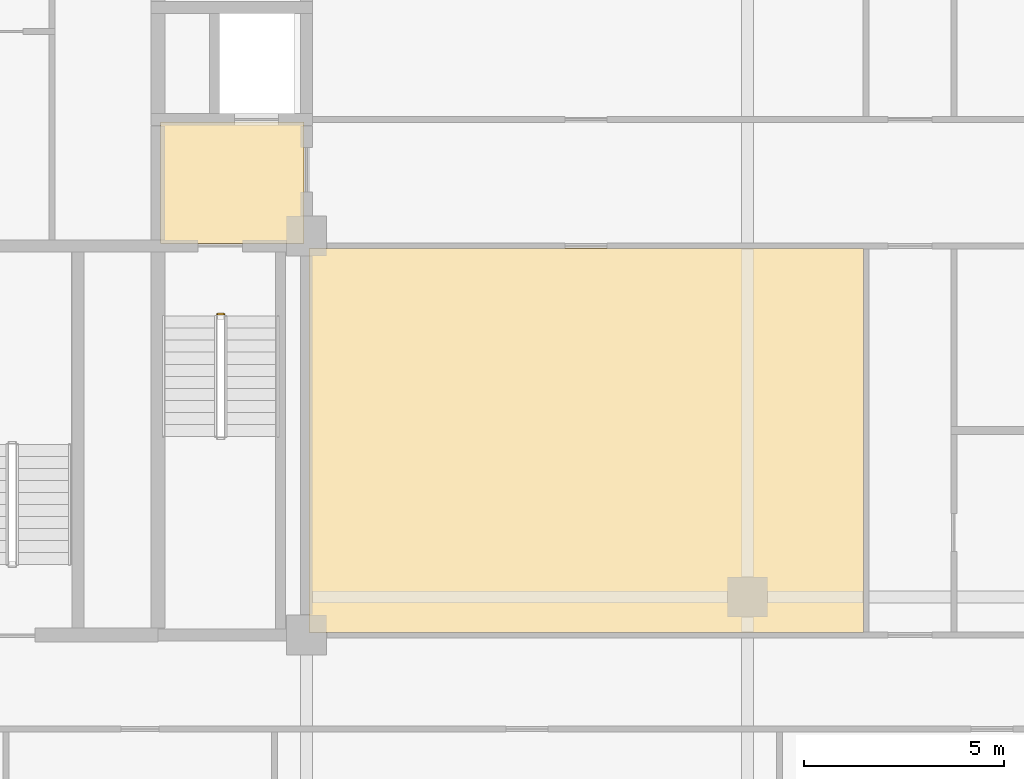
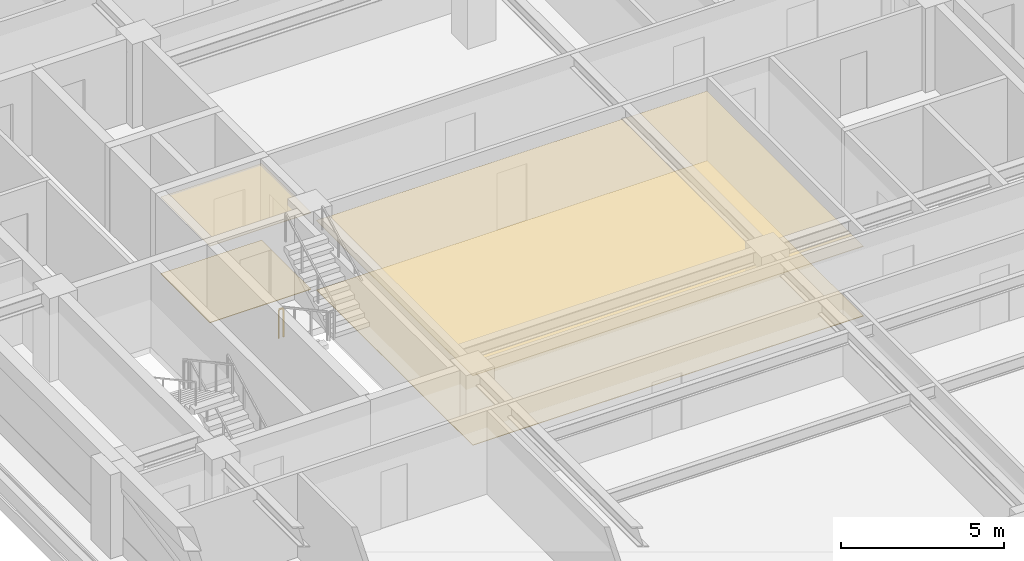
# One storey, part 10 of 13: 4 coverings, 1 railing.
"""IFC4 building model written with IfcOpenShell, lengths in metres."""

from ifc_helpers import new_model, si_unit, direction, frame, origin, origin_2d, place, context, subcontext, project, spatial, polyline, rectangle, outline, extrude, material, layer, layer_set, type_object, element, save


model = new_model("IFC4")

# Units and contexts
model_context = context("Model", 3, precision=1e-05, world=origin(), true_north=direction((0.0, 1.0)))
body_context = subcontext(model_context, "Body", "Model", "MODEL_VIEW")
ifc_project = project(units=[si_unit("LENGTHUNIT", "METRE"), si_unit("AREAUNIT", "SQUARE_METRE"), si_unit("VOLUMEUNIT", "CUBIC_METRE"), si_unit("PLANEANGLEUNIT", "RADIAN"), si_unit("MASSUNIT", "GRAM", prefix="KILO")], contexts=[model_context])

# Site, building, storey
site_placement = place(None, origin())
site = spatial("IfcSite", under=ifc_project, at=site_placement, CompositionType="ELEMENT")
building_placement = place(site_placement, origin())
building = spatial("IfcBuilding", under=site, at=building_placement, Name="Zulmaris Gate Convention Tower", CompositionType="ELEMENT")
storey_placement = place(building_placement, frame((0.0, 0.0, 112.780029296875)))
storey = spatial("IfcBuildingStorey", under=building, at=storey_placement, Name="L28", CompositionType="ELEMENT", Elevation=112.780029296875)

# Coverings
ifc_material_1 = material(Name="Mineral Fibre Acoustic Ceiling Tile")
ifc_layer_1 = layer(ifc_material_1, 0.02001953125, Name="Mineral Fibre Acoustic Ceiling Tile")
ifc_layer_set_1 = layer_set([ifc_layer_1], Name="Mineral Fibre Acoustic Ceiling Tile")
covering_type_1 = type_object("IfcCoveringType", Name="CLG-ACOUSTIC-600", PredefinedType="CEILING", material=ifc_layer_set_1)
covering_1_placement = place(storey_placement, frame((0.0, 0.0, 2.864990234375)))
element("IfcCovering", 1, at=covering_1_placement, inside=storey, type_object=covering_type_1, Name="CLG-L28-R03", PredefinedType="CEILING", context=body_context, shape_type="SweptSolid", body=[
    extrude(outline(polyline([(-14.639892578125, -0.18994140625), (-11.06005859375, -0.18994140625), (-11.06005859375, 2.840087890625), (-14.639892578125, 2.840087890625), (-14.639892578125, -0.18994140625)])), origin(), (0.0, 0.0, 1.0), 0.019775390625),
])
covering_2_placement = place(storey_placement, frame((0.0, 0.0, 2.602783203125)))
element("IfcCovering", 2, at=covering_2_placement, inside=storey, type_object=covering_type_1, Name="CLG-L28-R43", PredefinedType="CEILING", context=body_context, shape_type="SweptSolid", body=[
    extrude(outline(polyline([(-10.93994140625, -9.889892578125), (2.889892578125, -9.889892578125), (2.889892578125, -0.31005859375), (-10.93994140625, -0.31005859375), (-10.93994140625, -9.889892578125)])), origin(), (0.0, 0.0, 1.0), 0.02001953125),
])
ifc_material_2 = material(Name="Woven Acoustic Wool Carpet Tile")
ifc_layer_2 = layer(ifc_material_2, 0.02001953125, Name="Woven Acoustic Wool Carpet Tile")
ifc_layer_set_2 = layer_set([ifc_layer_2], Name="Woven Acoustic Wool Carpet Tile")
covering_type_2 = type_object("IfcCoveringType", Name="FLR-CARPET-12", PredefinedType="FLOORING", material=ifc_layer_set_2)
covering_3_placement = place(storey_placement, origin())
element("IfcCovering", 3, at=covering_3_placement, inside=storey, type_object=covering_type_2, Name="FLR-L28-R03", PredefinedType="FLOORING", context=body_context, shape_type="SweptSolid", body=[
    extrude(outline(polyline([(-14.639892578125, -0.18994140625), (-11.06005859375, -0.18994140625), (-11.06005859375, 2.840087890625), (-14.639892578125, 2.840087890625), (-14.639892578125, -0.18994140625)])), origin(), (0.0, 0.0, 1.0), 0.02001953125),
])
covering_4_placement = place(storey_placement, origin())
element("IfcCovering", 4, at=covering_4_placement, inside=storey, type_object=covering_type_2, Name="FLR-L28-R43", PredefinedType="FLOORING", context=body_context, shape_type="SweptSolid", body=[
    extrude(outline(polyline([(-10.93994140625, -9.889892578125), (2.889892578125, -9.889892578125), (2.889892578125, -0.31005859375), (-10.93994140625, -0.31005859375), (-10.93994140625, -9.889892578125)])), origin(), (0.0, 0.0, 1.0), 0.02001953125),
])

# Railing
ifc_material_3 = material(Name="Painted Galvanised Steel", Category="steel")
railing_type = type_object("IfcRailingType", Name="RL-STG-1150", PredefinedType="GUARDRAIL", material=ifc_material_3)
railing_placement = place(storey_placement, frame((-13.219970703125, -1.949951171875, 0.0)))
element("IfcRailing", 5, at=railing_placement, inside=storey, type_object=railing_type, Name="L28 ST-1 stair guard 4", PredefinedType="GUARDRAIL", context=body_context, shape_type="SweptSolid", body=[
    extrude(rectangle(XDim=0.048095703125, YDim=0.048095703125, at=origin_2d()), frame((0.0, 0.0, 1.076171875), z_axis=(1.0, 0.0, 0.0), x_axis=(0.0, 1.0, 0.0)), (0.0, 0.0, 1.0), 0.159912109375),
    extrude(rectangle(XDim=0.0419921875, YDim=0.0419921875, at=origin_2d()), origin(), (0.0, 0.0, 1.0), 1.052001953125),
    extrude(rectangle(XDim=0.0419921875, YDim=0.0419921875, at=origin_2d()), frame((0.159912109375, 0.0, 0.0)), (0.0, 0.0, 1.0), 1.052001953125),
])

save(model, "model.ifc")
